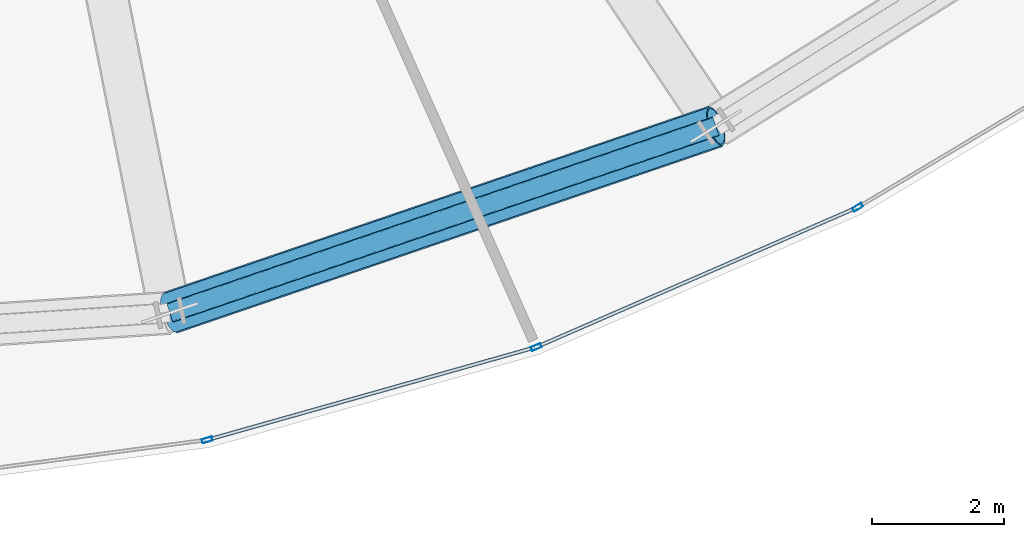
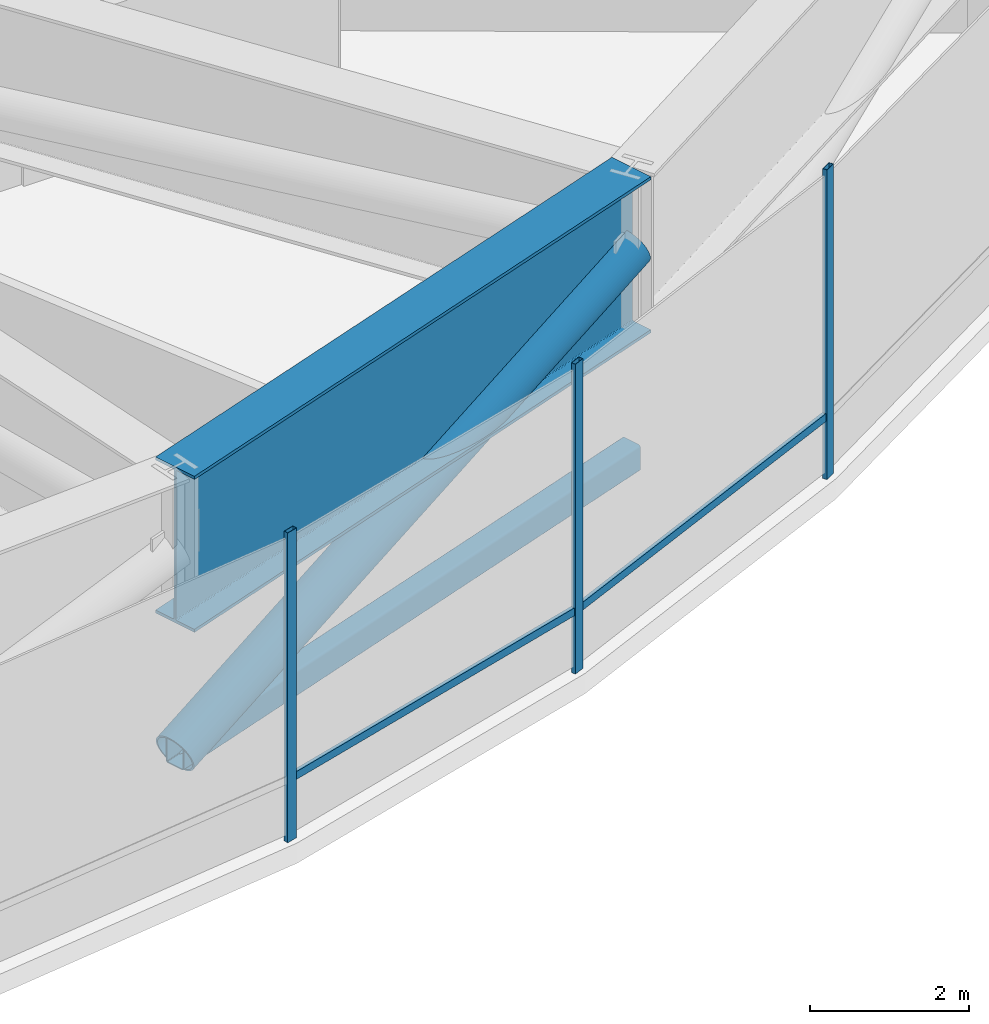
# One storey, part 11 of 33: 7 members, 1 beam, 1 element without a shape of its own.
"""IFC4 building model written with IfcOpenShell, lengths in metres."""

from ifc_helpers import new_model, si_unit, direction, frame, origin, origin_2d, place, context, subcontext, project, spatial, hollow_rectangle, hollow_circle, i_section, extrude, source, transform, mapped, material, layer, layer_set, material_profile, profile_set, type_object, element, aggregate, save


model = new_model("IFC4")

# Units and contexts
model_context = context("Model", 3, precision=1e-05, world=origin(), true_north=direction((0.0, 1.0)))
body_context = subcontext(model_context, "Body", "Model", "MODEL_VIEW")
ifc_project = project(units=[si_unit("LENGTHUNIT", "METRE"), si_unit("AREAUNIT", "SQUARE_METRE"), si_unit("VOLUMEUNIT", "CUBIC_METRE"), si_unit("PLANEANGLEUNIT", "RADIAN"), si_unit("MASSUNIT", "GRAM", prefix="KILO"), si_unit("THERMODYNAMICTEMPERATUREUNIT", "KELVIN")], contexts=[model_context])

# Site, building, storey
site_placement = place(None, origin())
site = spatial("IfcSite", under=ifc_project, at=site_placement, CompositionType="ELEMENT")
building_placement = place(site_placement, origin())
building = spatial("IfcBuilding", under=site, at=building_placement, Name="Kethvar Cultural Tower", CompositionType="ELEMENT")
storey_placement = place(building_placement, frame((0.0, 0.0, 80.39990234375)))
storey = spatial("IfcBuildingStorey", under=building, at=storey_placement, Name="L19", CompositionType="ELEMENT", Elevation=80.39990234375)

# Beam
ifc_material_1 = material(Name="Steel S460M", Category="steel")
ifc_material_profile_1 = material_profile(ifc_material_1, i_section(OverallWidth=0.64990234375, OverallDepth=2.39990234375, WebThickness=0.030029296875, FlangeThickness=0.048095703125, FilletRadius=0.02197265625, at=origin_2d()), Name="Steel S460M — PG2400x650x48x30")
ifc_profile_set_1 = profile_set([ifc_material_profile_1], Name="Steel S460M — PG2400x650x48x30")
beam_type = type_object("IfcBeamType", Name="BM-TR2400", PredefinedType="BEAM", material=ifc_profile_set_1)
shared_shape_1 = source(origin(), body_context, "Body", "SweptSolid", [
    extrude(i_section(OverallWidth=0.64990234375, OverallDepth=2.39990234375, WebThickness=0.030029296875, FlangeThickness=0.048095703125, FilletRadius=0.02197265625, at=origin_2d()), origin(), (0.0, 0.0, 1.0), 8.735595703125),
])
beam_placement = place(storey_placement, frame((51.10400390625, 6.16259765625, 3.55810546875), z_axis=(0.946286676119, 0.323328821171, 0.0), x_axis=(-0.323328821171, 0.946286676119, 0.0)))
element("IfcBeam", 1, at=beam_placement, inside=storey, type_object=beam_type, Name="L19 Ring Belt Girder BG-13", PredefinedType="BEAM", context=body_context, shape_type="MappedRepresentation", body=[
    mapped(shared_shape_1, transform((0.0, 0.0, 0.0), scale=1.0)),
])

# Members
ifc_material_profile_2 = material_profile(ifc_material_1, hollow_rectangle(XDim=0.300048828125, YDim=0.39990234375, WallThickness=0.01611328125, InnerFilletRadius=0.01611328125, OuterFilletRadius=0.031982421875, at=origin_2d()), Name="Steel S460M — RHS400x300x16")
ifc_profile_set_2 = profile_set([ifc_material_profile_2], Name="Steel S460M — RHS400x300x16")
member_type_1 = type_object("IfcMemberType", Name="MB-CHD-400", PredefinedType="CHORD", material=ifc_profile_set_2)
shared_shape_2 = source(origin(), body_context, "Body", "SweptSolid", [
    extrude(hollow_rectangle(XDim=0.300048828125, YDim=0.39990234375, WallThickness=0.01611328125, InnerFilletRadius=0.01611328125, OuterFilletRadius=0.031982421875, at=origin_2d()), origin(), (0.0, 0.0, 1.0), 8.735595703125),
])
member_1_placement = place(storey_placement, frame((51.10400390625, 6.16259765625, 0.35009765625), z_axis=(0.946286676119, 0.323328821171, 0.0), x_axis=(-0.323328821171, 0.946286676119, 0.0)))
element("IfcMember", 2, at=member_1_placement, inside=storey, type_object=member_type_1, Name="L19 Ring Belt Bottom Chord BC-13", PredefinedType="CHORD", context=body_context, shape_type="MappedRepresentation", body=[
    mapped(shared_shape_2, transform((0.0, 0.0, 0.0), scale=1.0)),
])
ifc_material_profile_3 = material_profile(ifc_material_1, hollow_circle(Radius=0.304931640625, WallThickness=0.02490234375, at=origin_2d()), Name="Steel S460M — CHS610x25")
ifc_profile_set_3 = profile_set([ifc_material_profile_3], Name="Steel S460M — CHS610x25")
member_type_2 = type_object("IfcMemberType", Name="MB-OUT-610", PredefinedType="BRACE", material=ifc_profile_set_3)
shared_shape_3 = source(origin(), body_context, "Body", "SweptSolid", [
    extrude(hollow_circle(Radius=0.304931640625, WallThickness=0.02490234375, at=origin_2d()), origin(), (0.0, 0.0, 1.0), 9.305908203125),
])
member_2_placement = place(storey_placement, frame((51.10400390625, 6.16259765625, 0.35009765625), z_axis=(0.888282890899, 0.303509990396, 0.344724805411), x_axis=(-0.323328821171, 0.946286676119, 0.0)))
element("IfcMember", 3, at=member_2_placement, inside=storey, type_object=member_type_2, Name="L19 Ring Belt Diagonal BD-13", PredefinedType="BRACE", context=body_context, shape_type="MappedRepresentation", body=[
    mapped(shared_shape_3, transform((0.0, 0.0, 0.0), scale=1.0)),
])

# Curtain wall, members
ifc_material_2 = material(Name="Aluminium 6063-T6", Category="aluminium")
ifc_layer = layer(ifc_material_2, 0.179931640625, Name="Aluminium 6063-T6", Category="aluminium")
ifc_layer_set = layer_set([ifc_layer], Name="Aluminium 6063-T6 (180 mm)")
curtain_wall_type = type_object("IfcCurtainWallType", Name="CW-SYS-02-Z1", PredefinedType="NOTDEFINED", material=ifc_layer_set)
curtain_wall_placement = place(storey_placement, origin())
curtain_wall = element("IfcCurtainWall", 4, at=curtain_wall_placement, inside=storey, type_object=curtain_wall_type, Name="L19 Curtain Wall Run 05", PredefinedType="NOTDEFINED")
ifc_material_profile_4 = material_profile(ifc_material_2, hollow_rectangle(XDim=0.06494140625, YDim=0.159912109375, WallThickness=0.0048828125, at=origin_2d()), Name="Aluminium 6063-T6 — RHS160x65x5")
ifc_profile_set_4 = profile_set([ifc_material_profile_4], Name="Aluminium 6063-T6 — RHS160x65x5")
member_type_3 = type_object("IfcMemberType", Name="CW-SYS-02-Z1-MUL", PredefinedType="MULLION", material=ifc_profile_set_4)
shared_shape_4 = source(origin(), body_context, "Body", "SweptSolid", [
    extrude(hollow_rectangle(XDim=0.06494140625, YDim=0.159912109375, WallThickness=0.0048828125, at=origin_2d()), origin(), (0.0, 0.0, 1.0), 4.760009765625),
])
member_3_placement = place(storey_placement, frame((51.67041015625, 4.239501953125, 0.0), z_axis=(0.0, 0.0, 1.0), x_axis=(-0.271591628631, 0.962412586814, 0.0)))
member_3 = element("IfcMember", 5, at=member_3_placement, type_object=member_type_3, Name="CW-L19-R05 Mullion 4", PredefinedType="MULLION", context=body_context, shape_type="MappedRepresentation", body=[
    mapped(shared_shape_4, transform((0.0, 0.0, 0.0), scale=1.0)),
])
member_4_placement = place(storey_placement, frame((56.64990234375, 5.6435546875, 0.0), z_axis=(0.0, 0.0, 1.0), x_axis=(-0.399101165312, 0.916906898134, 0.0)))
member_4 = element("IfcMember", 6, at=member_4_placement, type_object=member_type_3, Name="CW-L19-R05 Mullion 5", PredefinedType="MULLION", context=body_context, shape_type="MappedRepresentation", body=[
    mapped(shared_shape_4, transform((0.0, 0.0, 0.0), scale=1.0)),
])
member_5_placement = place(storey_placement, frame((61.5185546875, 7.761474609375, 0.0), z_axis=(0.0, 0.0, 1.0), x_axis=(-0.512417608074, 0.858736394323, 0.0)))
member_5 = element("IfcMember", 7, at=member_5_placement, type_object=member_type_3, Name="CW-L19-R05 Mullion 6", PredefinedType="MULLION", context=body_context, shape_type="MappedRepresentation", body=[
    mapped(shared_shape_4, transform((0.0, 0.0, 0.0), scale=1.0)),
])
ifc_material_profile_5 = material_profile(ifc_material_2, hollow_rectangle(XDim=0.054931640625, YDim=0.1201171875, WallThickness=0.00390625, at=origin_2d()), Name="Aluminium 6063-T6 — RHS120x55x4")
ifc_profile_set_5 = profile_set([ifc_material_profile_5], Name="Aluminium 6063-T6 — RHS120x55x4")
member_type_4 = type_object("IfcMemberType", Name="CW-SYS-02-Z1-TRN", PredefinedType="USERDEFINED", material=ifc_profile_set_5)
shared_shape_5 = source(origin(), body_context, "Body", "SweptSolid", [
    extrude(hollow_rectangle(XDim=0.054931640625, YDim=0.1201171875, WallThickness=0.00390625, at=origin_2d()), origin(), (0.0, 0.0, 1.0), 5.096435546875),
])
member_6_placement = place(storey_placement, frame((51.715576171875, 4.252197265625, 0.9501953125), z_axis=(0.962417255742, 0.271575083265, 0.0), x_axis=(-0.271575083265, 0.962417255742, 0.0)))
member_6 = element("IfcMember", 8, at=member_6_placement, type_object=member_type_4, Name="CW-L19-R05 Transom 4", ObjectType="TRANSOM", PredefinedType="USERDEFINED", context=body_context, shape_type="MappedRepresentation", body=[
    mapped(shared_shape_5, transform((0.0, 0.0, 0.0), scale=1.0)),
])
shared_shape_6 = source(origin(), body_context, "Body", "SweptSolid", [
    extrude(hollow_rectangle(XDim=0.054931640625, YDim=0.1201171875, WallThickness=0.00390625, at=origin_2d()), origin(), (0.0, 0.0, 1.0), 5.231201171875),
])
member_7_placement = place(storey_placement, frame((56.69287109375, 5.662109375, 0.9501953125), z_axis=(0.916894859506, 0.399128822076, 0.0), x_axis=(-0.399128822076, 0.916894859506, 0.0)))
member_7 = element("IfcMember", 9, at=member_7_placement, type_object=member_type_4, Name="CW-L19-R05 Transom 5", ObjectType="TRANSOM", PredefinedType="USERDEFINED", context=body_context, shape_type="MappedRepresentation", body=[
    mapped(shared_shape_6, transform((0.0, 0.0, 0.0), scale=1.0)),
])
aggregate(curtain_wall, [member_3, member_4, member_5, member_6, member_7])

save(model, "model.ifc")
